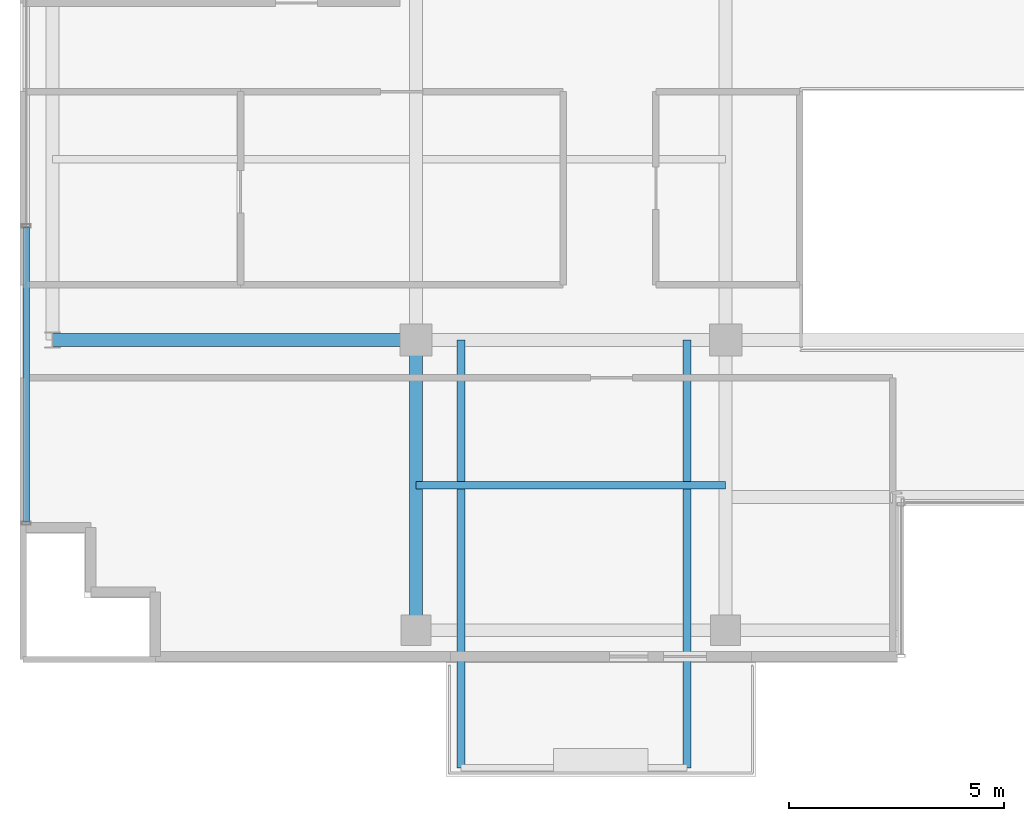
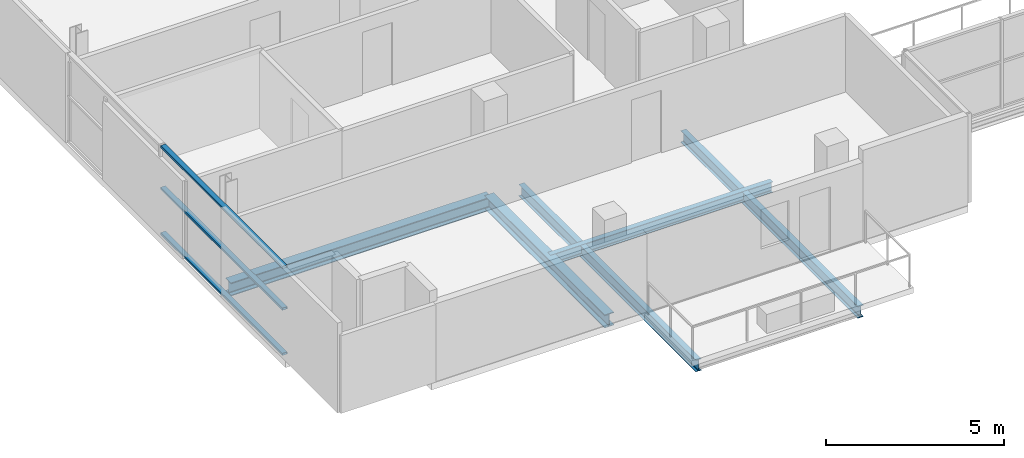
# One storey, part 3 of 23: 5 beams, 3 members, 1 element without a shape of its own.
"""IFC4 building model written with IfcOpenShell, lengths in metres."""

from ifc_helpers import new_model, si_unit, direction, frame, origin, origin_2d, place, context, subcontext, project, spatial, hollow_rectangle, i_section, extrude, source, transform, mapped, material, layer, layer_set, material_profile, profile_set, type_object, element, aggregate, save


model = new_model("IFC4")

# Units and contexts
model_context = context("Model", 3, precision=1e-05, world=origin(), true_north=direction((0.0, 1.0)))
body_context = subcontext(model_context, "Body", "Model", "MODEL_VIEW")
ifc_project = project(units=[si_unit("LENGTHUNIT", "METRE"), si_unit("AREAUNIT", "SQUARE_METRE"), si_unit("VOLUMEUNIT", "CUBIC_METRE"), si_unit("PLANEANGLEUNIT", "RADIAN"), si_unit("MASSUNIT", "GRAM", prefix="KILO")], contexts=[model_context])

# Site, building, storey
site_placement = place(None, origin())
site = spatial("IfcSite", under=ifc_project, at=site_placement, CompositionType="ELEMENT")
building_placement = place(site_placement, origin())
building = spatial("IfcBuilding", under=site, at=building_placement, Name="Zarnakvel Exchange Tower", CompositionType="ELEMENT")
storey_placement = place(building_placement, frame((0.0, 0.0, 218.800048828125)))
storey = spatial("IfcBuildingStorey", under=building, at=storey_placement, Name="L61", CompositionType="ELEMENT", Elevation=218.800048828125)

# Beams
ifc_material_1 = material(Name="Steel S355", Category="steel")
ifc_material_profile_1 = material_profile(ifc_material_1, i_section(OverallWidth=0.179931640625, OverallDepth=0.39990234375, WebThickness=0.008544921875, FlangeThickness=0.013427734375, FilletRadius=0.02099609375, at=origin_2d()))
ifc_profile_set_1 = profile_set([ifc_material_profile_1], Name="Steel S355")
beam_type_1 = type_object("IfcBeamType", Name="B-06", PredefinedType="JOIST", material=ifc_profile_set_1)
for number, where, z_axis, x_axis, name in (
    (1, (-13.35009765625, -9.60009765625, -0.425048828125), (0.0, -1.0, 0.0), (1.0, 0.0, 0.0), "L61 Continuous Back-Spanned Balcony Beam W"),
    (2, (-8.10009765625, -9.60009765625, -0.425048828125), (0.0, -1.0, 0.0), (1.0, 0.0, 0.0), "L61 Continuous Back-Spanned Balcony Beam E"),
):
    element("IfcBeam", number, at=place(storey_placement, frame(where, z_axis=z_axis, x_axis=x_axis)), inside=storey, type_object=beam_type_1, Name=name, PredefinedType="JOIST", context=body_context, shape_type="SweptSolid", body=[
        extrude(i_section(OverallWidth=0.179931640625, OverallDepth=0.39990234375, WebThickness=0.008544921875, FlangeThickness=0.013427734375, FilletRadius=0.02099609375, at=origin_2d()), origin(), (0.0, 0.0, 1.0), 9.949951171875),
    ])
ifc_material_profile_2 = material_profile(ifc_material_1, i_section(OverallWidth=0.169921875, OverallDepth=0.360107421875, WebThickness=0.008056640625, FlangeThickness=0.0126953125, FilletRadius=0.01806640625, at=origin_2d()))
ifc_profile_set_2 = profile_set([ifc_material_profile_2], Name="Steel S355")
beam_type_2 = type_object("IfcBeamType", Name="B-07", PredefinedType="JOIST", material=ifc_profile_set_2)
beam_1_placement = place(storey_placement, frame((-14.39990234375, -12.97509765625, -0.405029296875), z_axis=(1.0, 0.0, 0.0), x_axis=(0.0, 1.0, 0.0)))
element("IfcBeam", 3, at=beam_1_placement, inside=storey, type_object=beam_type_2, Name="L61 Composite Floor Secondary Joist", PredefinedType="JOIST", context=body_context, shape_type="SweptSolid", body=[
    extrude(i_section(OverallWidth=0.169921875, OverallDepth=0.360107421875, WebThickness=0.008056640625, FlangeThickness=0.0126953125, FilletRadius=0.01806640625, at=origin_2d()), origin(), (0.0, 0.0, 1.0), 7.199951171875),
])
ifc_material_profile_3 = material_profile(ifc_material_1, i_section(OverallWidth=0.300048828125, OverallDepth=0.449951171875, WebThickness=0.013916015625, FlangeThickness=0.02587890625, FilletRadius=0.027099609375, at=origin_2d()))
ifc_profile_set_3 = profile_set([ifc_material_profile_3], Name="Steel S355")
beam_type_3 = type_object("IfcBeamType", Name="G-07", PredefinedType="BEAM", material=ifc_profile_set_3)
beam_2_placement = place(storey_placement, frame((-22.85009765625, -9.60009765625, -0.449951171875), z_axis=(1.0, 0.0, 0.0), x_axis=(0.0, 1.0, 0.0)))
element("IfcBeam", 4, at=beam_2_placement, inside=storey, type_object=beam_type_3, Name="L61 Tower E-W Frame Beam", PredefinedType="BEAM", context=body_context, shape_type="SweptSolid", body=[
    extrude(i_section(OverallWidth=0.300048828125, OverallDepth=0.449951171875, WebThickness=0.013916015625, FlangeThickness=0.02587890625, FilletRadius=0.027099609375, at=origin_2d()), origin(), (0.0, 0.0, 1.0), 8.4501953125),
])
beam_3_placement = place(storey_placement, frame((-14.39990234375, -16.35009765625, -0.449951171875), z_axis=(0.0, 1.0, 0.0), x_axis=(-1.0, 0.0, 0.0)))
element("IfcBeam", 5, at=beam_3_placement, inside=storey, type_object=beam_type_3, Name="L61 Tower N-S Frame Beam", PredefinedType="BEAM", context=body_context, shape_type="SweptSolid", body=[
    extrude(i_section(OverallWidth=0.300048828125, OverallDepth=0.449951171875, WebThickness=0.013916015625, FlangeThickness=0.02587890625, FilletRadius=0.027099609375, at=origin_2d()), origin(), (0.0, 0.0, 1.0), 6.75),
])

# Curtain wall, members
ifc_material_2 = material(Name="Architectural Bronze Anodised Aluminium", Category="aluminium")
ifc_layer = layer(ifc_material_2, 0.199951171875)
ifc_layer_set = layer_set([ifc_layer], Name="Architectural Bronze Anodised Aluminium")
curtain_wall_type = type_object("IfcCurtainWallType", Name="CW-04", PredefinedType="NOTDEFINED", material=ifc_layer_set)
curtain_wall_placement = place(storey_placement, origin())
curtain_wall = element("IfcCurtainWall", 6, at=curtain_wall_placement, inside=storey, type_object=curtain_wall_type, Name="L61 Curtain Wall CW-L61-W1 (CW-04)", PredefinedType="NOTDEFINED")
ifc_material_profile_4 = material_profile(ifc_material_2, hollow_rectangle(XDim=0.159912109375, YDim=0.074951171875, WallThickness=0.00390625, at=origin_2d()))
ifc_profile_set_4 = profile_set([ifc_material_profile_4], Name="Architectural Bronze Anodised Aluminium")
member_type = type_object("IfcMemberType", Name="CWT-04", PredefinedType="USERDEFINED", material=ifc_profile_set_4)
shared_shape = source(origin(), body_context, "Body", "SweptSolid", [
    extrude(hollow_rectangle(XDim=0.159912109375, YDim=0.074951171875, WallThickness=0.00390625, at=origin_2d()), origin(), (0.0, 0.0, 1.0), 6.83740234375),
])
member_1_placement = place(storey_placement, frame((-23.4599609375, -13.824951171875, 0.037353515625), z_axis=(0.0, 1.0, 0.0), x_axis=(-1.0, 0.0, 0.0)))
member_1 = element("IfcMember", 7, at=member_1_placement, type_object=member_type, Name="CW-04 transom 1.1", ObjectType="TRANSOM", PredefinedType="USERDEFINED", context=body_context, shape_type="MappedRepresentation", body=[
    mapped(shared_shape, transform((0.0, 0.0, 0.0), x_axis=(1.0, 0.0, 0.0), y_axis=(0.0, 1.0, 0.0), z_axis=(0.0, 0.0, 1.0), scale=1.0)),
])
member_2_placement = place(storey_placement, frame((-23.4599609375, -13.824951171875, 1.588623046875), z_axis=(0.0, 1.0, 0.0), x_axis=(-1.0, 0.0, 0.0)))
member_2 = element("IfcMember", 8, at=member_2_placement, type_object=member_type, Name="CW-04 transom 1.2", ObjectType="TRANSOM", PredefinedType="USERDEFINED", context=body_context, shape_type="MappedRepresentation", body=[
    mapped(shared_shape, transform((0.0, 0.0, 0.0), x_axis=(1.0, 0.0, 0.0), y_axis=(0.0, 1.0, 0.0), z_axis=(0.0, 0.0, 1.0), scale=1.0)),
])
member_3_placement = place(storey_placement, frame((-23.4599609375, -13.824951171875, 3.017333984375), z_axis=(0.0, 1.0, 0.0), x_axis=(-1.0, 0.0, 0.0)))
member_3 = element("IfcMember", 9, at=member_3_placement, type_object=member_type, Name="CW-04 transom 1.3", ObjectType="TRANSOM", PredefinedType="USERDEFINED", context=body_context, shape_type="MappedRepresentation", body=[
    mapped(shared_shape, transform((0.0, 0.0, 0.0), x_axis=(1.0, 0.0, 0.0), y_axis=(0.0, 1.0, 0.0), z_axis=(0.0, 0.0, 1.0), scale=1.0)),
])
aggregate(curtain_wall, [member_1, member_2, member_3])

save(model, "model.ifc")
